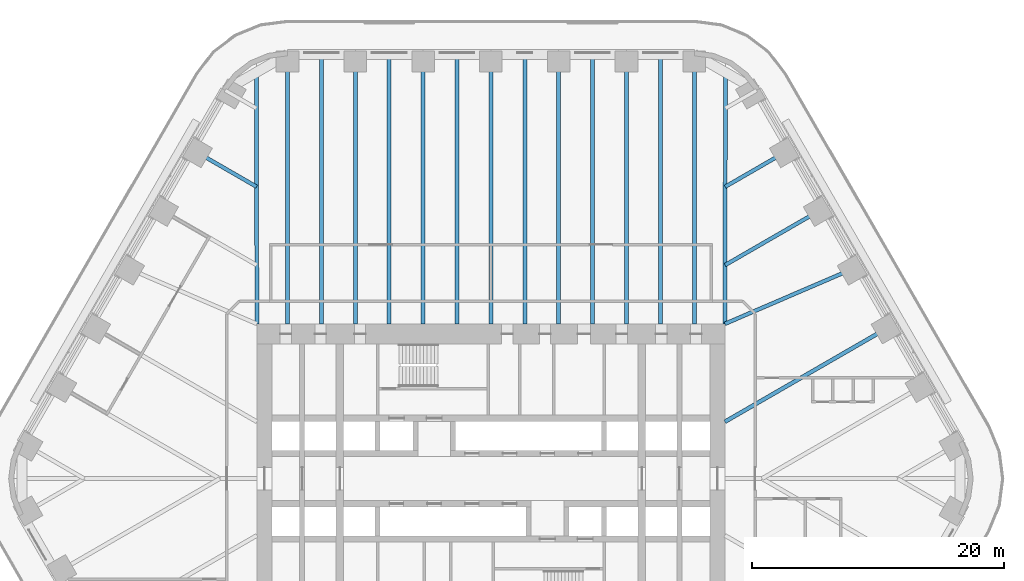
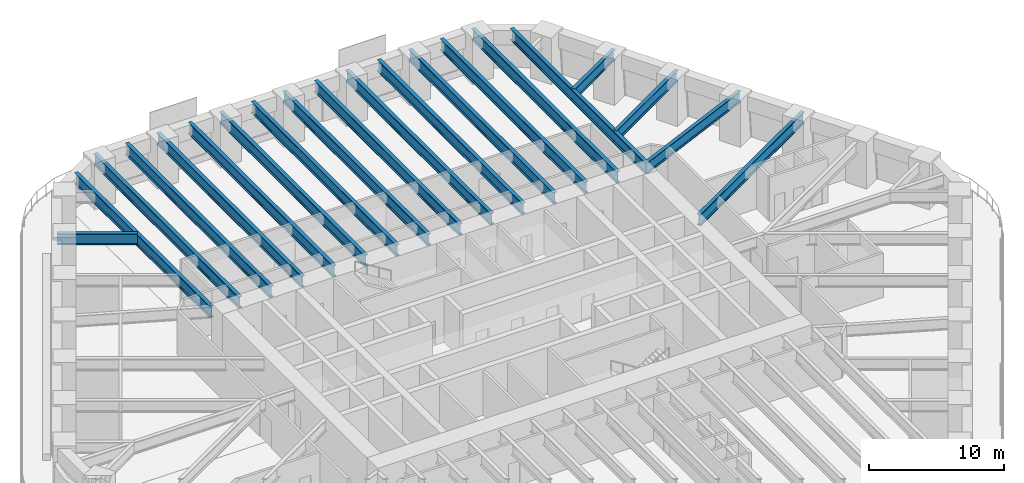
# One storey, part 10 of 24: 20 beams.
"""IFC4 building model written with IfcOpenShell, lengths in metres."""

from ifc_helpers import new_model, si_unit, direction, frame, origin, origin_2d, place, context, subcontext, project, spatial, i_section, extrude, material, material_profile, profile_set, type_object, element, save


model = new_model("IFC4")

# Units and contexts
model_context = context("Model", 3, precision=1e-05, world=origin(), true_north=direction((0.0, 1.0)))
body_context = subcontext(model_context, "Body", "Model", "MODEL_VIEW")
ifc_project = project(units=[si_unit("LENGTHUNIT", "METRE"), si_unit("AREAUNIT", "SQUARE_METRE"), si_unit("VOLUMEUNIT", "CUBIC_METRE"), si_unit("PLANEANGLEUNIT", "RADIAN"), si_unit("MASSUNIT", "GRAM", prefix="KILO")], contexts=[model_context])

# Site, building, storey
site_placement = place(None, origin())
site = spatial("IfcSite", under=ifc_project, at=site_placement, CompositionType="ELEMENT")
building_placement = place(site_placement, origin())
building = spatial("IfcBuilding", under=site, at=building_placement, Name="Tarfa Lantern Tower", CompositionType="ELEMENT")
storey_placement = place(building_placement, frame((0.0, 0.0, 90.699951171875)))
storey = spatial("IfcBuildingStorey", under=building, at=storey_placement, Name="L20", CompositionType="ELEMENT", Elevation=90.699951171875)

# Beams
ifc_material = material(Name="Steel S460M", Category="steel")
ifc_material_profile_1 = material_profile(ifc_material, i_section(OverallWidth=0.302001953125, OverallDepth=1.008056640625, WebThickness=0.02099609375, FlangeThickness=0.0400390625, FilletRadius=0.030029296875, at=origin_2d()), Name="UB1016x305x349")
ifc_profile_set_1 = profile_set([ifc_material_profile_1], Name="Steel S460M")
beam_type_1 = type_object("IfcBeamType", Name="UB1016x305x349", PredefinedType="BEAM", material=ifc_profile_set_1)
beam_1_placement = place(storey_placement, frame((29.202392578125, 16.860107421875, 3.49609375), z_axis=(-0.918635483867, -0.395106122175, 0.0), x_axis=(0.395106122175, -0.918635483867, 0.0)))
element("IfcBeam", 1, at=beam_1_placement, inside=storey, type_object=beam_type_1, Name="Floor beam NE3", PredefinedType="BEAM", context=body_context, shape_type="SweptSolid", body=[
    extrude(i_section(OverallWidth=0.302001953125, OverallDepth=1.008056640625, WebThickness=0.02099609375, FlangeThickness=0.0400390625, FilletRadius=0.030029296875, at=origin_2d()), origin(), (0.0, 0.0, 1.0), 11.541259765625),
])
beam_2_placement = place(storey_placement, frame((26.508056640625, 21.526611328125, 3.49609375), z_axis=(-0.866035355799, -0.49998276221, 0.0), x_axis=(0.49998276221, -0.866035355799, 0.0)))
element("IfcBeam", 2, at=beam_2_placement, inside=storey, type_object=beam_type_1, Name="Floor beam NE4", PredefinedType="BEAM", context=body_context, shape_type="SweptSolid", body=[
    extrude(i_section(OverallWidth=0.302001953125, OverallDepth=1.008056640625, WebThickness=0.02099609375, FlangeThickness=0.0400390625, FilletRadius=0.030029296875, at=origin_2d()), origin(), (0.0, 0.0, 1.0), 9.119873046875),
])
for number, where, z_axis, x_axis, name in (
    (3, (23.813720703125, 26.193359375, 3.49609375), (-0.866015997389, -0.500016292001, 0.0), (0.500016292001, -0.866015997389, 0.0), "Floor beam NE5"),
    (4, (-23.813720703125, 26.193359375, 3.49609375), (0.866015997389, -0.500016292001, 0.0), (0.500016292001, 0.866015997389, 0.0), "Floor beam NW1"),
):
    element("IfcBeam", number, at=place(storey_placement, frame(where, z_axis=z_axis, x_axis=x_axis)), inside=storey, type_object=beam_type_1, Name=name, PredefinedType="BEAM", context=body_context, shape_type="SweptSolid", body=[
        extrude(i_section(OverallWidth=0.302001953125, OverallDepth=1.008056640625, WebThickness=0.02099609375, FlangeThickness=0.0400390625, FilletRadius=0.030029296875, at=origin_2d()), origin(), (0.0, 0.0, 1.0), 5.993408203125),
    ])
ifc_material_profile_2 = material_profile(ifc_material, i_section(OverallWidth=0.314208984375, OverallDepth=1.055908203125, WebThickness=0.035888671875, FlangeThickness=0.06396484375, FilletRadius=0.030029296875, at=origin_2d()), Name="UB1016x305x584")
ifc_profile_set_2 = profile_set([ifc_material_profile_2], Name="Steel S460M")
beam_type_2 = type_object("IfcBeamType", Name="UB1016x305x584", PredefinedType="BEAM", material=ifc_profile_set_2)
for number, where, z_axis, x_axis, name in (
    (5, (18.60009765625, 12.300048828125, 3.47216796875), (0.00212508222, 0.99999774201, 0.0), (-0.99999774201, 0.00212508222, 0.0), "Hip girder NE"),
    (6, (-18.60009765625, 12.300048828125, 3.47216796875), (-0.00212508222, 0.99999774201, 0.0), (-0.99999774201, -0.00212508222, 0.0), "Hip girder NW"),
):
    element("IfcBeam", number, at=place(storey_placement, frame(where, z_axis=z_axis, x_axis=x_axis)), inside=storey, type_object=beam_type_2, Name=name, PredefinedType="BEAM", context=body_context, shape_type="SweptSolid", body=[
        extrude(i_section(OverallWidth=0.314208984375, OverallDepth=1.055908203125, WebThickness=0.035888671875, FlangeThickness=0.06396484375, FilletRadius=0.030029296875, at=origin_2d()), origin(), (0.0, 0.0, 1.0), 19.989990234375),
    ])
beam_3_placement = place(storey_placement, frame((31.896728515625, 12.193359375, 3.47216796875), z_axis=(-0.866026971665, -0.499997284341, 0.0), x_axis=(0.499997284341, -0.866026971665, 0.0)))
element("IfcBeam", 7, at=beam_3_placement, inside=storey, type_object=beam_type_2, Name="Floor beam NE2", PredefinedType="BEAM", context=body_context, shape_type="SweptSolid", body=[
    extrude(i_section(OverallWidth=0.314208984375, OverallDepth=1.055908203125, WebThickness=0.035888671875, FlangeThickness=0.06396484375, FilletRadius=0.030029296875, at=origin_2d()), origin(), (0.0, 0.0, 1.0), 15.353515625),
])
for number, where, z_axis, x_axis, name in (
    (8, (16.165771484375, 33.719970703125, 3.47216796875), (0.0, -1.0, 0.0), (1.0, 0.0, 0.0), "Floor beam N0"),
    (9, (10.777099609375, 33.719970703125, 3.47216796875), (0.0, -1.0, 0.0), (1.0, 0.0, 0.0), "Floor beam N1"),
    (10, (5.388671875, 33.719970703125, 3.47216796875), (0.0, -1.0, 0.0), (1.0, 0.0, 0.0), "Floor beam N2"),
    (11, (0.0, 33.719970703125, 3.47216796875), (0.0, -1.0, 0.0), (1.0, 0.0, 0.0), "Floor beam N3"),
    (12, (-5.388671875, 33.719970703125, 3.47216796875), (0.0, -1.0, 0.0), (1.0, 0.0, 0.0), "Floor beam N4"),
    (13, (-10.777099609375, 33.719970703125, 3.47216796875), (0.0, -1.0, 0.0), (1.0, 0.0, 0.0), "Floor beam N5"),
    (14, (-16.165771484375, 33.719970703125, 3.47216796875), (0.0, -1.0, 0.0), (1.0, 0.0, 0.0), "Floor beam N6"),
    (15, (13.471435546875, 33.719970703125, 3.47216796875), (0.0, -1.0, 0.0), (1.0, 0.0, 0.0), "Floor beam N0M"),
    (16, (8.0830078125, 33.719970703125, 3.47216796875), (0.0, -1.0, 0.0), (1.0, 0.0, 0.0), "Floor beam N1M"),
    (17, (2.6943359375, 33.719970703125, 3.47216796875), (0.0, -1.0, 0.0), (1.0, 0.0, 0.0), "Floor beam N2M"),
    (18, (-2.6943359375, 33.719970703125, 3.47216796875), (0.0, -1.0, 0.0), (1.0, 0.0, 0.0), "Floor beam N3M"),
    (19, (-8.0830078125, 33.719970703125, 3.47216796875), (0.0, -1.0, 0.0), (1.0, 0.0, 0.0), "Floor beam N4M"),
    (20, (-13.471435546875, 33.719970703125, 3.47216796875), (0.0, -1.0, 0.0), (1.0, 0.0, 0.0), "Floor beam N5M"),
):
    element("IfcBeam", number, at=place(storey_placement, frame(where, z_axis=z_axis, x_axis=x_axis)), inside=storey, type_object=beam_type_2, Name=name, PredefinedType="BEAM", context=body_context, shape_type="SweptSolid", body=[
        extrude(i_section(OverallWidth=0.314208984375, OverallDepth=1.055908203125, WebThickness=0.035888671875, FlangeThickness=0.06396484375, FilletRadius=0.030029296875, at=origin_2d()), origin(), (0.0, 0.0, 1.0), 21.419921875),
    ])

save(model, "model.ifc")
